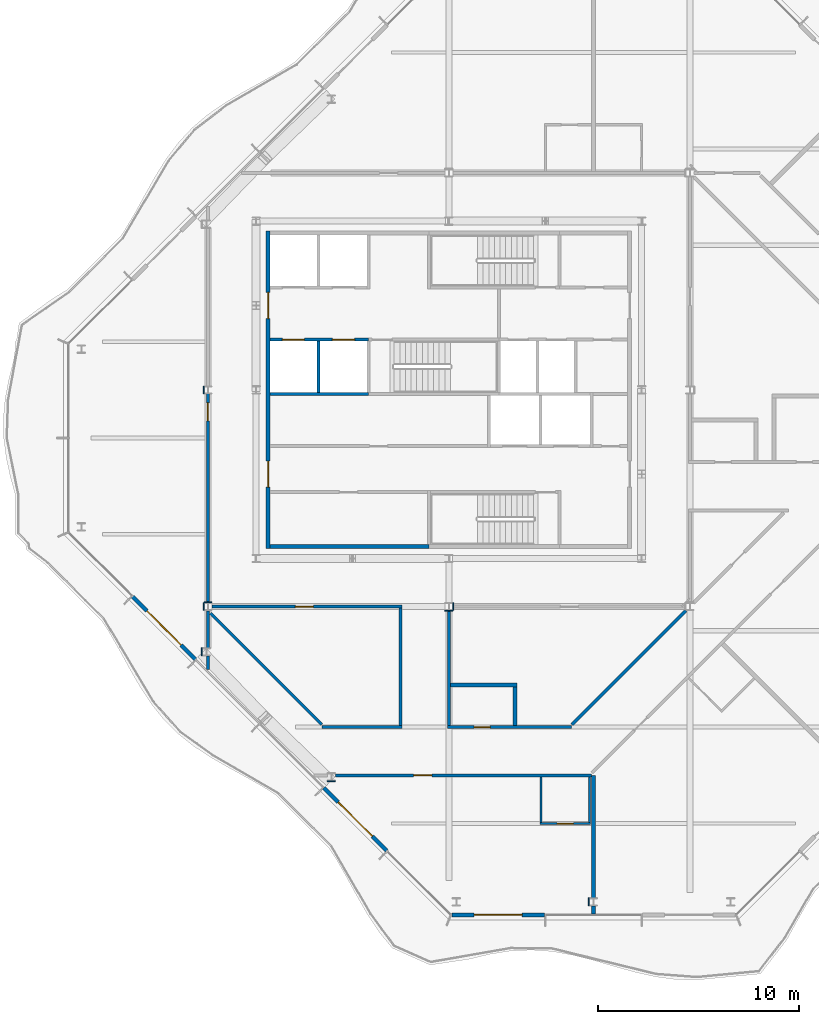
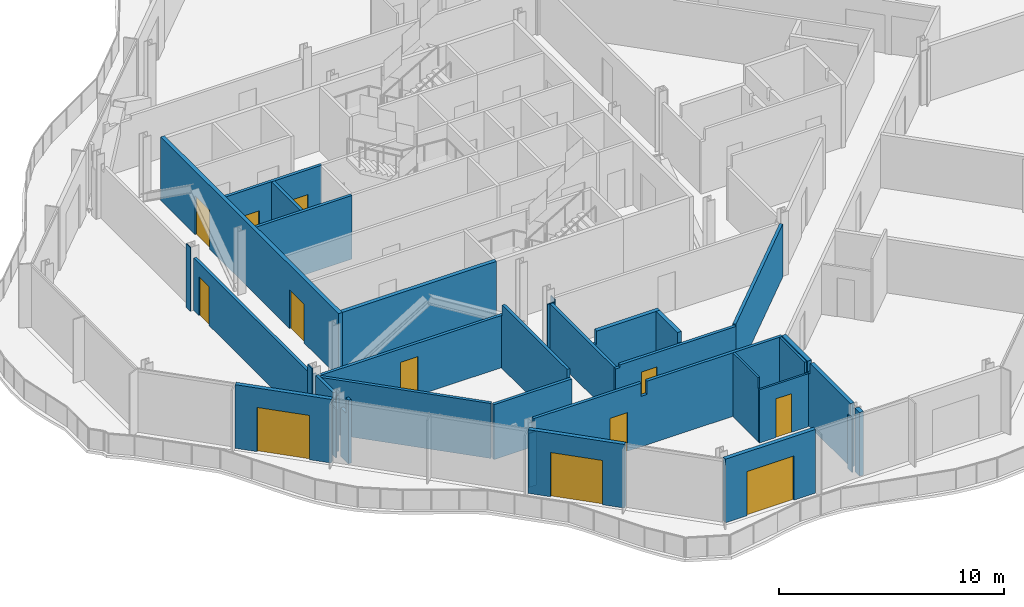
# One storey, part 7 of 16: 34 walls, 12 doors, 12 openings.
"""IFC4 building model written with IfcOpenShell, lengths in metres."""

from ifc_helpers import new_model, si_unit, direction, frame, frame_2d, origin, place, context, subcontext, project, spatial, polyline, rectangle, outline, extrude, material, layer, layer_set, type_object, element, fill, save


model = new_model("IFC4")

# Units and contexts
model_context = context("Model", 3, precision=1e-05, world=origin(), true_north=direction((0.0, 1.0)))
body_context = subcontext(model_context, "Body", "Model", "MODEL_VIEW")
ifc_project = project(units=[si_unit("LENGTHUNIT", "METRE"), si_unit("AREAUNIT", "SQUARE_METRE"), si_unit("VOLUMEUNIT", "CUBIC_METRE"), si_unit("PLANEANGLEUNIT", "RADIAN"), si_unit("MASSUNIT", "GRAM", prefix="KILO")], contexts=[model_context])

# Site, building, storey
site_placement = place(None, origin())
site = spatial("IfcSite", under=ifc_project, at=site_placement, CompositionType="ELEMENT")
building_placement = place(site_placement, origin())
building = spatial("IfcBuilding", under=site, at=building_placement, Name="Cairn Pilgrim Tower", CompositionType="ELEMENT")
storey_placement = place(building_placement, frame((0.0, 0.0, 267.0)))
storey = spatial("IfcBuildingStorey", under=building, at=storey_placement, Name="L68", CompositionType="ELEMENT", Elevation=267.0)

# Wall, opening, door
ifc_material_1 = material(Name="Bronze anodised aluminium insulated sandwich panel with mineral wool fill", Category="aluminium")
ifc_layer_1 = layer(ifc_material_1, 0.199951171875)
ifc_layer_set_1 = layer_set([ifc_layer_1], Name="BRONZE INFILL FRAME WALL 200")
wall_type_1 = type_object("IfcWallType", Name="BRONZE INFILL FRAME WALL 200", PredefinedType="NOTDEFINED", material=ifc_layer_set_1)
wall_1_placement = place(storey_placement, frame((7.343505859375, -23.75, 0.0), z_axis=(0.0, 0.0, 1.0), x_axis=(1.0, 0.0, 0.0)))
wall_1 = element("IfcWall", 1, at=wall_1_placement, inside=storey, type_object=wall_type_1, Name="Bronze infill frame wall IW-S1", PredefinedType="NOTDEFINED", context=body_context, shape_type="SweptSolid", body=[
    extrude(rectangle(XDim=4.62646484375, YDim=0.199951171875, at=frame_2d((2.313232421875, 0.0))), origin(), (0.0, 0.0, 1.0), 3.449951171875),
])
opening_1_placement = place(wall_1_placement, frame((1.1083984375, 0.0, 0.0)))
opening_1 = element("IfcOpeningElement", 2, at=opening_1_placement, cuts=wall_1, Name="Opening 6809B2", PredefinedType="OPENING", context=body_context, shape_type="SweptSolid", body=[
    extrude(rectangle(XDim=2.39990234375, YDim=2.39990234375, at=frame_2d((1.199951171875, 1.199951171875))), frame((0.0, 0.10986328125, 0.0), z_axis=(0.0, -1.0, 0.0), x_axis=(1.0, 0.0, 0.0)), (0.0, 0.0, 1.0), 0.219970703125),
])
ifc_material_2 = material(Name="Bronze anodised aluminium frame with tinted low-E glass", Category="aluminium")
door_type_1 = type_object("IfcDoorType", Name="BALCONY SLIDING DOOR 2400x2400", OperationType="DOUBLE_DOOR_SLIDING", PredefinedType="DOOR", material=ifc_material_2)
door_1_placement = place(opening_1_placement, origin())
door_1 = element("IfcDoor", 3, at=door_1_placement, inside=storey, type_object=door_type_1, Name="Balcony sliding door 6809B2", OperationType="SINGLE_SWING_LEFT", OverallHeight=2.39990234375, OverallWidth=2.39990234375, PredefinedType="DOOR", context=body_context, shape_type="SweptSolid", body=[
    extrude(rectangle(XDim=2.39990234375, YDim=2.39990234375, at=frame_2d((1.199951171875, 1.199951171875))), frame((0.0, 0.02490234375, 0.0), z_axis=(0.0, -1.0, 0.0), x_axis=(1.0, 0.0, 0.0)), (0.0, 0.0, 1.0), 0.050048828125),
])
fill(opening_1, door_1)

wall_2_placement = place(storey_placement, frame((-8.55322265625, -7.893310546875, 0.0), z_axis=(0.0, 0.0, 1.0), x_axis=(0.707134329907, -0.707079231393, 0.0)))
wall_2 = element("IfcWall", 4, at=wall_2_placement, inside=storey, type_object=wall_type_1, Name="Bronze infill frame wall IW-SW2", PredefinedType="NOTDEFINED", context=body_context, shape_type="SweptSolid", body=[
    extrude(rectangle(XDim=4.430908203125, YDim=0.199951171875, at=frame_2d((2.21533203125, 0.0))), origin(), (0.0, 0.0, 1.0), 3.449951171875),
])
opening_2_placement = place(wall_2_placement, frame((1.015380859375, 0.0, 0.0)))
opening_2 = element("IfcOpeningElement", 5, at=opening_2_placement, cuts=wall_2, Name="Opening 6808B2", PredefinedType="OPENING", context=body_context, shape_type="SweptSolid", body=[
    extrude(rectangle(XDim=2.39990234375, YDim=2.39990234375, at=frame_2d((1.199951171875, 1.199951171875))), frame((0.0, 0.10986328125, 0.0), z_axis=(0.0, -1.0, 0.0), x_axis=(1.0, 0.0, 0.0)), (0.0, 0.0, 1.0), 0.219970703125),
])
door_2_placement = place(opening_2_placement, origin())
door_2 = element("IfcDoor", 6, at=door_2_placement, inside=storey, type_object=door_type_1, Name="Balcony sliding door 6808B2", OperationType="SINGLE_SWING_LEFT", OverallHeight=2.39990234375, OverallWidth=2.39990234375, PredefinedType="DOOR", context=body_context, shape_type="SweptSolid", body=[
    extrude(rectangle(XDim=2.39990234375, YDim=2.39990234375, at=frame_2d((1.199951171875, 1.199951171875))), frame((0.0, 0.02490234375, 0.0), z_axis=(0.0, -1.0, 0.0), x_axis=(1.0, 0.0, 0.0)), (0.0, 0.0, 1.0), 0.050048828125),
])
fill(opening_2, door_2)

wall_3_placement = place(storey_placement, frame((0.9736328125, -17.419921875, 0.0), z_axis=(0.0, 0.0, 1.0), x_axis=(0.707079231393, -0.707134329907, 0.0)))
wall_3 = element("IfcWall", 7, at=wall_3_placement, inside=storey, type_object=wall_type_1, Name="Bronze infill frame wall IW-SW5", PredefinedType="NOTDEFINED", context=body_context, shape_type="SweptSolid", body=[
    extrude(rectangle(XDim=4.430908203125, YDim=0.199951171875, at=frame_2d((2.21533203125, 0.0))), origin(), (0.0, 0.0, 1.0), 3.449951171875),
])
opening_3_placement = place(wall_3_placement, frame((1.01513671875, 0.0, 0.0)))
opening_3 = element("IfcOpeningElement", 8, at=opening_3_placement, cuts=wall_3, Name="Opening 6809B", PredefinedType="OPENING", context=body_context, shape_type="SweptSolid", body=[
    extrude(rectangle(XDim=2.39990234375, YDim=2.39990234375, at=frame_2d((1.199951171875, 1.199951171875))), frame((0.0, 0.10986328125, 0.0), z_axis=(0.0, -1.0, 0.0), x_axis=(1.0, 0.0, 0.0)), (0.0, 0.0, 1.0), 0.219970703125),
])
door_3_placement = place(opening_3_placement, origin())
door_3 = element("IfcDoor", 9, at=door_3_placement, inside=storey, type_object=door_type_1, Name="Balcony sliding door 6809B", OperationType="SINGLE_SWING_LEFT", OverallHeight=2.39990234375, OverallWidth=2.39990234375, PredefinedType="DOOR", context=body_context, shape_type="SweptSolid", body=[
    extrude(rectangle(XDim=2.39990234375, YDim=2.39990234375, at=frame_2d((1.199951171875, 1.199951171875))), frame((0.0, 0.02490234375, 0.0), z_axis=(0.0, -1.0, 0.0), x_axis=(1.0, 0.0, 0.0)), (0.0, 0.0, 1.0), 0.050048828125),
])
fill(opening_3, door_3)

# Wall
ifc_material_3 = material(Name="Concrete C32/40", Category="concrete")
ifc_layer_2 = layer(ifc_material_3, 0.199951171875)
ifc_layer_set_2 = layer_set([ifc_layer_2], Name="CORE OUTER WALL 200 EI 120")
wall_type_2 = type_object("IfcWallType", Name="CORE OUTER WALL 200 EI 120", PredefinedType="SOLIDWALL", material=ifc_layer_set_2)
wall_4_placement = place(storey_placement, frame((-1.699951171875, -5.39990234375, 0.0), z_axis=(0.0, 0.0, 1.0), x_axis=(1.0, 0.0, 0.0)))
element("IfcWall", 10, at=wall_4_placement, inside=storey, type_object=wall_type_2, Name="CW:L68:H01-1", PredefinedType="SOLIDWALL", context=body_context, shape_type="SweptSolid", body=[
    extrude(rectangle(XDim=7.89990234375, YDim=0.199951171875, at=frame_2d((3.949951171875, 0.0))), origin(), (0.0, 0.0, 1.0), 3.449951171875),
])

# Wall, openings, doors
wall_5_placement = place(storey_placement, frame((-1.800048828125, -5.5, 0.0), z_axis=(0.0, 0.0, 1.0), x_axis=(0.0, 1.0, 0.0)))
wall_5 = element("IfcWall", 11, at=wall_5_placement, inside=storey, type_object=wall_type_2, Name="CW:L68:V13", PredefinedType="SOLIDWALL", context=body_context, shape_type="SweptSolid", body=[
    extrude(rectangle(XDim=15.800048828125, YDim=0.199951171875, at=frame_2d((7.89990234375, 0.0))), origin(), (0.0, 0.0, 1.0), 3.449951171875),
])
opening_4_placement = place(wall_5_placement, frame((3.050048828125, 0.0, 0.0)))
opening_4 = element("IfcOpeningElement", 12, at=opening_4_placement, cuts=wall_5, Name="Opening CD-W1", PredefinedType="OPENING", context=body_context, shape_type="SweptSolid", body=[
    extrude(rectangle(XDim=1.300048828125, YDim=2.10009765625, at=frame_2d((0.64990234375, 1.050048828125))), frame((0.0, 0.10986328125, 0.0), z_axis=(0.0, -1.0, 0.0), x_axis=(1.0, 0.0, 0.0)), (0.0, 0.0, 1.0), 0.219970703125),
])
opening_5_placement = place(wall_5_placement, frame((11.449951171875, 0.0, 0.0)))
opening_5 = element("IfcOpeningElement", 13, at=opening_5_placement, cuts=wall_5, Name="Opening CD-W2", PredefinedType="OPENING", context=body_context, shape_type="SweptSolid", body=[
    extrude(rectangle(XDim=1.300048828125, YDim=2.10009765625, at=frame_2d((0.64990234375, 1.050048828125))), frame((0.0, 0.10986328125, 0.0), z_axis=(0.0, -1.0, 0.0), x_axis=(1.0, 0.0, 0.0)), (0.0, 0.0, 1.0), 0.219970703125),
])
ifc_material_4 = material(Name="Painted steel", Category="steel")
door_type_2 = type_object("IfcDoorType", Name="CORE LOBBY DOOR 1300x2100", OperationType="DOUBLE_DOOR_SINGLE_SWING", PredefinedType="DOOR", material=ifc_material_4)
door_4_placement = place(opening_4_placement, origin())
door_4 = element("IfcDoor", 14, at=door_4_placement, inside=storey, type_object=door_type_2, Name="CD-W1", OperationType="DOUBLE_DOOR_SINGLE_SWING", OverallHeight=2.10009765625, OverallWidth=1.300048828125, PredefinedType="DOOR", context=body_context, shape_type="SweptSolid", body=[
    extrude(rectangle(XDim=1.300048828125, YDim=2.10009765625, at=frame_2d((0.64990234375, 1.050048828125))), frame((0.0, 0.02490234375, 0.0), z_axis=(0.0, -1.0, 0.0), x_axis=(1.0, 0.0, 0.0)), (0.0, 0.0, 1.0), 0.050048828125),
])
fill(opening_4, door_4)
door_5_placement = place(opening_5_placement, origin())
door_5 = element("IfcDoor", 15, at=door_5_placement, inside=storey, type_object=door_type_2, Name="CD-W2", OperationType="DOUBLE_DOOR_SINGLE_SWING", OverallHeight=2.10009765625, OverallWidth=1.300048828125, PredefinedType="DOOR", context=body_context, shape_type="SweptSolid", body=[
    extrude(rectangle(XDim=1.300048828125, YDim=2.10009765625, at=frame_2d((0.64990234375, 1.050048828125))), frame((0.0, 0.02490234375, 0.0), z_axis=(0.0, -1.0, 0.0), x_axis=(1.0, 0.0, 0.0)), (0.0, 0.0, 1.0), 0.050048828125),
])
fill(opening_5, door_5)

# Wall
ifc_layer_3 = layer(ifc_material_3, 0.14990234375)
ifc_layer_set_3 = layer_set([ifc_layer_3], Name="CORE SHAFT WALL 150 EI 120")
wall_type_3 = type_object("IfcWallType", Name="CORE SHAFT WALL 150 EI 120", PredefinedType="SOLIDWALL", material=ifc_layer_set_3)
wall_6_placement = place(storey_placement, frame((-1.699951171875, 2.199951171875, 0.0), z_axis=(0.0, 0.0, 1.0), x_axis=(1.0, 0.0, 0.0)))
element("IfcWall", 16, at=wall_6_placement, inside=storey, type_object=wall_type_3, Name="CW:L68:H07-1", PredefinedType="SOLIDWALL", context=body_context, shape_type="SweptSolid", body=[
    extrude(rectangle(XDim=4.89990234375, YDim=0.14990234375, at=frame_2d((2.449951171875, 0.0))), origin(), (0.0, 0.0, 1.0), 3.449951171875),
])

# Wall, openings, doors
wall_7_placement = place(storey_placement, frame((-1.699951171875, 4.89990234375, 0.0), z_axis=(0.0, 0.0, 1.0), x_axis=(1.0, 0.0, 0.0)))
wall_7 = element("IfcWall", 17, at=wall_7_placement, inside=storey, type_object=wall_type_3, Name="CW:L68:H09-1", PredefinedType="SOLIDWALL", context=body_context, shape_type="SweptSolid", body=[
    extrude(rectangle(XDim=4.89990234375, YDim=0.14990234375, at=frame_2d((2.449951171875, 0.0))), origin(), (0.0, 0.0, 1.0), 3.449951171875),
])
opening_6_placement = place(wall_7_placement, frame((0.60009765625, 0.0, 0.0)))
opening_6 = element("IfcOpeningElement", 18, at=opening_6_placement, cuts=wall_7, Name="Opening LD-HR1", PredefinedType="OPENING", context=body_context, shape_type="SweptSolid", body=[
    extrude(rectangle(XDim=1.10009765625, YDim=2.10009765625, at=frame_2d((0.550048828125, 1.050048828125))), frame((0.0, 0.0849609375, 0.0), z_axis=(0.0, -1.0, 0.0), x_axis=(1.0, 0.0, 0.0)), (0.0, 0.0, 1.0), 0.169921875),
])
opening_7_placement = place(wall_7_placement, frame((3.10009765625, 0.0, 0.0)))
opening_7 = element("IfcOpeningElement", 19, at=opening_7_placement, cuts=wall_7, Name="Opening LD-HR2", PredefinedType="OPENING", context=body_context, shape_type="SweptSolid", body=[
    extrude(rectangle(XDim=1.10009765625, YDim=2.10009765625, at=frame_2d((0.550048828125, 1.050048828125))), frame((0.0, 0.0849609375, 0.0), z_axis=(0.0, -1.0, 0.0), x_axis=(1.0, 0.0, 0.0)), (0.0, 0.0, 1.0), 0.169921875),
])
ifc_material_5 = material(Name="Stainless steel", Category="steel")
door_type_3 = type_object("IfcDoorType", Name="LIFT LANDING DOOR 1100x2100", OperationType="DOUBLE_DOOR_SLIDING", PredefinedType="DOOR", material=ifc_material_5)
door_6_placement = place(opening_6_placement, origin())
door_6 = element("IfcDoor", 20, at=door_6_placement, inside=storey, type_object=door_type_3, Name="LANDING DOOR HR1", OperationType="DOUBLE_DOOR_SLIDING", OverallHeight=2.10009765625, OverallWidth=1.10009765625, PredefinedType="DOOR", context=body_context, shape_type="SweptSolid", body=[
    extrude(rectangle(XDim=1.10009765625, YDim=2.10009765625, at=frame_2d((0.550048828125, 1.050048828125))), frame((0.0, 0.02490234375, 0.0), z_axis=(0.0, -1.0, 0.0), x_axis=(1.0, 0.0, 0.0)), (0.0, 0.0, 1.0), 0.050048828125),
])
fill(opening_6, door_6)
door_7_placement = place(opening_7_placement, origin())
door_7 = element("IfcDoor", 21, at=door_7_placement, inside=storey, type_object=door_type_3, Name="LANDING DOOR HR2", OperationType="DOUBLE_DOOR_SLIDING", OverallHeight=2.10009765625, OverallWidth=1.10009765625, PredefinedType="DOOR", context=body_context, shape_type="SweptSolid", body=[
    extrude(rectangle(XDim=1.10009765625, YDim=2.10009765625, at=frame_2d((0.550048828125, 1.050048828125))), frame((0.0, 0.02490234375, 0.0), z_axis=(0.0, -1.0, 0.0), x_axis=(1.0, 0.0, 0.0)), (0.0, 0.0, 1.0), 0.050048828125),
])
fill(opening_7, door_7)

# Wall
wall_8_placement = place(storey_placement, frame((0.699951171875, 2.27490234375, 0.0), z_axis=(0.0, 0.0, 1.0), x_axis=(0.0, 1.0, 0.0)))
element("IfcWall", 22, at=wall_8_placement, inside=storey, type_object=wall_type_3, Name="CW:L68:V14", PredefinedType="SOLIDWALL", context=body_context, shape_type="SweptSolid", body=[
    extrude(rectangle(XDim=2.550048828125, YDim=0.14990234375, at=frame_2d((1.27490234375, 0.0))), origin(), (0.0, 0.0, 1.0), 3.449951171875),
])

# Wall, opening, door
ifc_material_6 = material(Name="Gypsum partition")
ifc_layer_4 = layer(ifc_material_6, 0.10009765625)
ifc_layer_set_4 = layer_set([ifc_layer_4], Name="PARTITION 100 DRYWALL")
wall_type_4 = type_object("IfcWallType", Name="PARTITION 100 DRYWALL", PredefinedType="PARTITIONING", material=ifc_layer_set_4)
wall_9_placement = place(storey_placement, frame((11.743896484375, -19.199951171875, 0.0), z_axis=(0.0, 0.0, 1.0), x_axis=(1.0, 0.0, 0.0)))
wall_9 = element("IfcWall", 23, at=wall_9_placement, inside=storey, type_object=wall_type_4, Name="PARTITION W003", PredefinedType="PARTITIONING", context=body_context, shape_type="SweptSolid", body=[
    extrude(rectangle(XDim=2.5, YDim=0.10009765625, at=frame_2d((1.25, 0.0))), origin(), (0.0, 0.0, 1.0), 2.8798828125),
])
opening_8_placement = place(wall_9_placement, frame((0.85009765625, 0.0, 0.0)))
opening_8 = element("IfcOpeningElement", 24, at=opening_8_placement, cuts=wall_9, Name="Opening 6809A", PredefinedType="OPENING", context=body_context, shape_type="SweptSolid", body=[
    extrude(rectangle(XDim=0.800048828125, YDim=2.10009765625, at=frame_2d((0.39990234375, 1.050048828125))), frame((0.0, 0.06005859375, 0.0), z_axis=(0.0, -1.0, 0.0), x_axis=(1.0, 0.0, 0.0)), (0.0, 0.0, 1.0), 0.1201171875),
])
ifc_material_7 = material(Name="Timber door leaf", Category="wood")
door_type_4 = type_object("IfcDoorType", Name="WC DOOR 800x2100", OperationType="NOTDEFINED", PredefinedType="DOOR", material=ifc_material_7)
door_8_placement = place(opening_8_placement, frame((0.800048828125, 0.0, 0.0), z_axis=(0.0, 0.0, 1.0), x_axis=(-1.0, 0.0, 0.0)))
door_8 = element("IfcDoor", 25, at=door_8_placement, inside=storey, type_object=door_type_4, Name="DOOR 6809A", OperationType="SINGLE_SWING_RIGHT", OverallHeight=2.10009765625, OverallWidth=0.800048828125, PredefinedType="DOOR", context=body_context, shape_type="SweptSolid", body=[
    extrude(rectangle(XDim=0.800048828125, YDim=2.10009765625, at=frame_2d((0.39990234375, 1.050048828125))), frame((0.0, 0.02490234375, 0.0), z_axis=(0.0, -1.0, 0.0), x_axis=(1.0, 0.0, 0.0)), (0.0, 0.0, 1.0), 0.050048828125),
])
fill(opening_8, door_8)

# Walls
for number, where, z_axis, x_axis, name in (
    (26, (11.7939453125, -19.14990234375, 0.0), (0.0, 0.0, 1.0), (0.0, 1.0, 0.0), "PARTITION W004"),
    (27, (14.194091796875, -19.14990234375, 0.0), (0.0, 0.0, 1.0), (0.0, 1.0, 0.0), "PARTITION W005"),
):
    element("IfcWall", number, at=place(storey_placement, frame(where, z_axis=z_axis, x_axis=x_axis)), inside=storey, type_object=wall_type_4, Name=name, PredefinedType="PARTITIONING", context=body_context, shape_type="SweptSolid", body=[
        extrude(outline(polyline([(0.0, 0.0), (2.27490234375, 0.0), (2.27490234375, 3.449951171875), (0.054931640625, 3.449951171875), (0.052978515625, 2.8798828125), (0.0, 2.8798828125), (0.0, 0.0)])), frame((0.0, 0.050048828125, 0.0), z_axis=(0.0, -1.0, 0.0), x_axis=(1.0, 0.0, 0.0)), (0.0, 0.0, 1.0), 0.10009765625),
    ])

# Wall, opening, door
ifc_layer_5 = layer(ifc_material_6, 0.14990234375)
ifc_layer_set_5 = layer_set([ifc_layer_5], Name="PARTITION 150 DRYWALL EI 60")
wall_type_5 = type_object("IfcWallType", Name="PARTITION 150 DRYWALL EI 60", PredefinedType="PARTITIONING", material=ifc_layer_set_5)
wall_10_placement = place(storey_placement, frame((1.548095703125, -16.800048828125, 0.0), z_axis=(0.0, 0.0, 1.0), x_axis=(1.0, 0.0, 0.0)))
wall_10 = element("IfcWall", 28, at=wall_10_placement, inside=storey, type_object=wall_type_5, Name="PARTITION W008", PredefinedType="PARTITIONING", context=body_context, shape_type="SweptSolid", body=[
    extrude(outline(polyline([(0.0, 0.0), (12.751953125, 0.0), (12.752197265625, 3.449951171875), (5.802001953125, 3.449951171875), (5.800048828125, 2.72998046875), (5.501953125, 2.72998046875), (5.5, 3.449951171875), (0.0, 3.449951171875), (0.0, 0.0)])), frame((0.0, 0.074951171875, 0.0), z_axis=(0.0, -1.0, 0.0), x_axis=(1.0, 0.0, 0.0)), (0.0, 0.0, 1.0), 0.14990234375),
])
opening_9_placement = place(wall_10_placement, frame((3.89892578125, 0.0, 0.0)))
opening_9 = element("IfcOpeningElement", 29, at=opening_9_placement, cuts=wall_10, Name="Opening 6809", PredefinedType="OPENING", context=body_context, shape_type="SweptSolid", body=[
    extrude(rectangle(XDim=0.89990234375, YDim=2.10009765625, at=frame_2d((0.449951171875, 1.050048828125))), frame((0.0, 0.0849609375, 0.0), z_axis=(0.0, -1.0, 0.0), x_axis=(1.0, 0.0, 0.0)), (0.0, 0.0, 1.0), 0.169921875),
])
door_type_5 = type_object("IfcDoorType", Name="ROOM DOOR 900x2100 FD30S", OperationType="NOTDEFINED", PredefinedType="DOOR", material=ifc_material_7)
door_9_placement = place(opening_9_placement, frame((0.89990234375, 0.0, 0.0), z_axis=(0.0, 0.0, 1.0), x_axis=(-1.0, 0.0, 0.0)))
door_9 = element("IfcDoor", 30, at=door_9_placement, inside=storey, type_object=door_type_5, Name="DOOR 6809", OperationType="SINGLE_SWING_RIGHT", OverallHeight=2.10009765625, OverallWidth=0.89990234375, PredefinedType="DOOR", context=body_context, shape_type="SweptSolid", body=[
    extrude(rectangle(XDim=0.89990234375, YDim=2.10009765625, at=frame_2d((0.449951171875, 1.050048828125))), frame((0.0, 0.02490234375, 0.0), z_axis=(0.0, -1.0, 0.0), x_axis=(1.0, 0.0, 0.0)), (0.0, 0.0, 1.0), 0.050048828125),
])
fill(opening_9, door_9)

# Wall
wall_11_placement = place(storey_placement, frame((0.887939453125, -14.39990234375, 0.0), z_axis=(0.0, 0.0, 1.0), x_axis=(1.0, 0.0, 0.0)))
element("IfcWall", 31, at=wall_11_placement, inside=storey, type_object=wall_type_5, Name="PARTITION W011", PredefinedType="PARTITIONING", context=body_context, shape_type="SweptSolid", body=[
    extrude(rectangle(XDim=3.987060546875, YDim=0.14990234375, at=frame_2d((1.99365234375, 0.0))), origin(), (0.0, 0.0, 1.0), 2.97998046875),
])

# Wall, opening, door
wall_12_placement = place(storey_placement, frame((7.125, -14.39990234375, 0.0), z_axis=(0.0, 0.0, 1.0), x_axis=(1.0, 0.0, 0.0)))
wall_12 = element("IfcWall", 32, at=wall_12_placement, inside=storey, type_object=wall_type_5, Name="PARTITION W012", PredefinedType="PARTITIONING", context=body_context, shape_type="SweptSolid", body=[
    extrude(outline(polyline([(0.0, 0.0), (6.18115234375, 0.0), (6.18115234375, 2.8798828125), (0.22509765625, 2.8798828125), (0.222900390625, 2.72998046875), (0.0, 2.72998046875), (0.0, 0.0)])), frame((0.0, 0.074951171875, 0.0), z_axis=(0.0, -1.0, 0.0), x_axis=(1.0, 0.0, 0.0)), (0.0, 0.0, 1.0), 0.14990234375),
])
opening_10_placement = place(wall_12_placement, frame((1.324951171875, 0.0, 0.0)))
opening_10 = element("IfcOpeningElement", 33, at=opening_10_placement, cuts=wall_12, Name="Opening 6813", PredefinedType="OPENING", context=body_context, shape_type="SweptSolid", body=[
    extrude(rectangle(XDim=0.800048828125, YDim=2.10009765625, at=frame_2d((0.39990234375, 1.050048828125))), frame((0.0, 0.0849609375, 0.0), z_axis=(0.0, -1.0, 0.0), x_axis=(1.0, 0.0, 0.0)), (0.0, 0.0, 1.0), 0.169921875),
])
door_type_6 = type_object("IfcDoorType", Name="WC DOOR 800x2100 FD30S", OperationType="NOTDEFINED", PredefinedType="DOOR", material=ifc_material_7)
door_10_placement = place(opening_10_placement, origin())
door_10 = element("IfcDoor", 34, at=door_10_placement, inside=storey, type_object=door_type_6, Name="DOOR 6813", OperationType="SINGLE_SWING_LEFT", OverallHeight=2.10009765625, OverallWidth=0.800048828125, PredefinedType="DOOR", context=body_context, shape_type="SweptSolid", body=[
    extrude(rectangle(XDim=0.800048828125, YDim=2.10009765625, at=frame_2d((0.39990234375, 1.050048828125))), frame((0.0, 0.02490234375, 0.0), z_axis=(0.0, -1.0, 0.0), x_axis=(1.0, 0.0, 0.0)), (0.0, 0.0, 1.0), 0.050048828125),
])
fill(opening_10, door_10)

# Walls
wall_13_placement = place(storey_placement, frame((0.865966796875, -14.27197265625, 0.0), z_axis=(0.0, 0.0, 1.0), x_axis=(-0.707106781187, 0.707106781187, 0.0)))
element("IfcWall", 35, at=wall_13_placement, inside=storey, type_object=wall_type_5, Name="PARTITION W013", PredefinedType="PARTITIONING", context=body_context, shape_type="SweptSolid", body=[
    extrude(rectangle(XDim=7.83203125, YDim=0.14990234375, at=frame_2d((3.916015625, 0.0))), origin(), (0.0, 0.0, 1.0), 2.97998046875),
])
wall_14_placement = place(storey_placement, frame((4.800048828125, -14.324951171875, 0.0), z_axis=(0.0, 0.0, 1.0), x_axis=(0.0, 1.0, 0.0)))
element("IfcWall", 36, at=wall_14_placement, inside=storey, type_object=wall_type_5, Name="PARTITION W014", PredefinedType="PARTITIONING", context=body_context, shape_type="SweptSolid", body=[
    extrude(outline(polyline([(0.0, 0.0), (5.849853515625, 0.0), (5.85009765625, 2.830078125), (5.77490234375, 2.830078125), (5.77294921875, 3.449951171875), (0.02001953125, 3.449951171875), (0.01806640625, 2.97998046875), (0.0, 2.97998046875), (0.0, 0.0)])), frame((0.0, 0.074951171875, 0.0), z_axis=(0.0, -1.0, 0.0), x_axis=(1.0, 0.0, 0.0)), (0.0, 0.0, 1.0), 0.14990234375),
])
wall_15_placement = place(storey_placement, frame((7.199951171875, -14.324951171875, 0.0), z_axis=(0.0, 0.0, 1.0), x_axis=(0.0, 1.0, 0.0)))
element("IfcWall", 37, at=wall_15_placement, inside=storey, type_object=wall_type_5, Name="PARTITION W015", PredefinedType="PARTITIONING", context=body_context, shape_type="SweptSolid", body=[
    extrude(rectangle(XDim=5.737548828125, YDim=0.14990234375, at=frame_2d((2.86865234375, 0.0))), origin(), (0.0, 0.0, 1.0), 2.72998046875),
])
wall_16_placement = place(storey_placement, frame((13.327880859375, -14.27197265625, 0.0), z_axis=(0.0, 0.0, 1.0), x_axis=(0.707121978143, 0.707091583904, 0.0)))
element("IfcWall", 38, at=wall_16_placement, inside=storey, type_object=wall_type_5, Name="PARTITION W017", PredefinedType="PARTITIONING", context=body_context, shape_type="SweptSolid", body=[
    extrude(rectangle(XDim=8.032470703125, YDim=0.14990234375, at=frame_2d((4.01611328125, 0.0))), origin(), (0.0, 0.0, 1.0), 2.8798828125),
])
wall_17_placement = place(storey_placement, frame((-4.800048828125, -11.526123046875, 0.0), z_axis=(0.0, 0.0, 1.0), x_axis=(0.0, 1.0, 0.0)))
element("IfcWall", 39, at=wall_17_placement, inside=storey, type_object=wall_type_5, Name="PARTITION W022", PredefinedType="PARTITIONING", context=body_context, shape_type="SweptSolid", body=[
    extrude(outline(polyline([(0.0, 0.0), (0.67822265625, 0.0), (0.677978515625, 2.6298828125), (0.22900390625, 2.6298828125), (0.226806640625, 3.449951171875), (0.0, 3.449951171875), (0.0, 0.0)])), frame((0.0, 0.074951171875, 0.0), z_axis=(0.0, -1.0, 0.0), x_axis=(1.0, 0.0, 0.0)), (0.0, 0.0, 1.0), 0.14990234375),
])
wall_18_placement = place(storey_placement, frame((-4.800048828125, -10.455078125, 0.0), z_axis=(0.0, 0.0, 1.0), x_axis=(0.0, 1.0, 0.0)))
element("IfcWall", 40, at=wall_18_placement, inside=storey, type_object=wall_type_5, Name="PARTITION W023", PredefinedType="PARTITIONING", context=body_context, shape_type="SweptSolid", body=[
    extrude(outline(polyline([(0.0, 0.0), (1.84912109375, 0.0), (1.84912109375, 3.030029296875), (0.2978515625, 3.030029296875), (0.2958984375, 2.6298828125), (0.05810546875, 2.6298828125), (0.05615234375, 3.030029296875), (0.0, 3.030029296875), (0.0, 0.0)])), frame((0.0, 0.074951171875, 0.0), z_axis=(0.0, -1.0, 0.0), x_axis=(1.0, 0.0, 0.0)), (0.0, 0.0, 1.0), 0.14990234375),
])

# Wall, opening, door
wall_19_placement = place(storey_placement, frame((-4.60302734375, -8.39990234375, 0.0), z_axis=(0.0, 0.0, 1.0), x_axis=(1.0, 0.0, 0.0)))
wall_19 = element("IfcWall", 41, at=wall_19_placement, inside=storey, type_object=wall_type_5, Name="PARTITION W025", PredefinedType="PARTITIONING", context=body_context, shape_type="SweptSolid", body=[
    extrude(rectangle(XDim=9.47802734375, YDim=0.14990234375, at=frame_2d((4.739013671875, 0.0))), origin(), (0.0, 0.0, 1.0), 2.830078125),
])
opening_11_placement = place(wall_19_placement, frame((4.153076171875, 0.0, 0.0)))
opening_11 = element("IfcOpeningElement", 42, at=opening_11_placement, cuts=wall_19, Name="Opening 6816", PredefinedType="OPENING", context=body_context, shape_type="SweptSolid", body=[
    extrude(rectangle(XDim=0.89990234375, YDim=2.10009765625, at=frame_2d((0.449951171875, 1.050048828125))), frame((0.0, 0.0849609375, 0.0), z_axis=(0.0, -1.0, 0.0), x_axis=(1.0, 0.0, 0.0)), (0.0, 0.0, 1.0), 0.169921875),
])
door_type_7 = type_object("IfcDoorType", Name="SERVICE DOOR 900x2100 FD30S", OperationType="NOTDEFINED", PredefinedType="DOOR", material=ifc_material_7)
door_11_placement = place(opening_11_placement, frame((0.89990234375, 0.0, 0.0), z_axis=(0.0, 0.0, 1.0), x_axis=(-1.0, 0.0, 0.0)))
door_11 = element("IfcDoor", 43, at=door_11_placement, inside=storey, type_object=door_type_7, Name="DOOR 6816", OperationType="SINGLE_SWING_LEFT", OverallHeight=2.10009765625, OverallWidth=0.89990234375, PredefinedType="DOOR", context=body_context, shape_type="SweptSolid", body=[
    extrude(rectangle(XDim=0.89990234375, YDim=2.10009765625, at=frame_2d((0.449951171875, 1.050048828125))), frame((0.0, 0.02490234375, 0.0), z_axis=(0.0, -1.0, 0.0), x_axis=(1.0, 0.0, 0.0)), (0.0, 0.0, 1.0), 0.050048828125),
])
fill(opening_11, door_11)

wall_20_placement = place(storey_placement, frame((-4.800048828125, -8.21240234375, 0.0), z_axis=(0.0, 0.0, 1.0), x_axis=(0.0, 1.0, 0.0)))
wall_20 = element("IfcWall", 44, at=wall_20_placement, inside=storey, type_object=wall_type_5, Name="PARTITION W027", PredefinedType="PARTITIONING", context=body_context, shape_type="SweptSolid", body=[
    extrude(rectangle(XDim=10.4248046875, YDim=0.14990234375, at=frame_2d((5.21240234375, 0.0))), origin(), (0.0, 0.0, 1.0), 2.830078125),
])
opening_12_placement = place(wall_20_placement, frame((9.0625, 0.0, 0.0)))
opening_12 = element("IfcOpeningElement", 45, at=opening_12_placement, cuts=wall_20, Name="Opening 6808", PredefinedType="OPENING", context=body_context, shape_type="SweptSolid", body=[
    extrude(rectangle(XDim=0.89990234375, YDim=2.10009765625, at=frame_2d((0.449951171875, 1.050048828125))), frame((0.0, 0.0849609375, 0.0), z_axis=(0.0, -1.0, 0.0), x_axis=(1.0, 0.0, 0.0)), (0.0, 0.0, 1.0), 0.169921875),
])
door_12_placement = place(opening_12_placement, origin())
door_12 = element("IfcDoor", 46, at=door_12_placement, inside=storey, type_object=door_type_5, Name="DOOR 6808", OperationType="SINGLE_SWING_RIGHT", OverallHeight=2.10009765625, OverallWidth=0.89990234375, PredefinedType="DOOR", context=body_context, shape_type="SweptSolid", body=[
    extrude(rectangle(XDim=0.89990234375, YDim=2.10009765625, at=frame_2d((0.449951171875, 1.050048828125))), frame((0.0, 0.02490234375, 0.0), z_axis=(0.0, -1.0, 0.0), x_axis=(1.0, 0.0, 0.0)), (0.0, 0.0, 1.0), 0.050048828125),
])
fill(opening_12, door_12)

# Walls
ifc_layer_6 = layer(ifc_material_6, 0.050048828125)
ifc_layer_set_6 = layer_set([ifc_layer_6], Name="PARTITION 50 DRYWALL EI 60")
wall_type_6 = type_object("IfcWallType", Name="PARTITION 50 DRYWALL EI 60", PredefinedType="PARTITIONING", material=ifc_layer_set_6)
wall_21_placement = place(storey_placement, frame((14.175537109375, -23.29638671875, 0.0), z_axis=(0.0, 0.0, 1.0), x_axis=(0.0, 1.0, 0.0)))
element("IfcWall", 47, at=wall_21_placement, inside=storey, type_object=wall_type_6, Name="COLUMN CASING WC01", PredefinedType="PARTITIONING", context=body_context, shape_type="SweptSolid", body=[
    extrude(rectangle(XDim=0.392822265625, YDim=0.050048828125, at=frame_2d((0.1962890625, 0.0))), origin(), (0.0, 0.0, 1.0), 2.929931640625),
])
wall_22_placement = place(storey_placement, frame((1.14892578125, -17.09716796875, 0.0), z_axis=(0.0, 0.0, 1.0), x_axis=(1.0, 0.0, 0.0)))
element("IfcWall", 48, at=wall_22_placement, inside=storey, type_object=wall_type_6, Name="COLUMN CASING WC03", PredefinedType="PARTITIONING", context=body_context, shape_type="SweptSolid", body=[
    extrude(rectangle(XDim=0.399169921875, YDim=0.050048828125, at=frame_2d((0.19970703125, 0.0))), origin(), (0.0, 0.0, 1.0), 2.929931640625),
])
wall_23_placement = place(storey_placement, frame((7.422119140625, -8.58740234375, 0.0), z_axis=(0.0, 0.0, 1.0), x_axis=(0.0, 1.0, 0.0)))
element("IfcWall", 49, at=wall_23_placement, inside=storey, type_object=wall_type_6, Name="COLUMN CASING WC05", PredefinedType="PARTITIONING", context=body_context, shape_type="SweptSolid", body=[
    extrude(rectangle(XDim=0.375, YDim=0.050048828125, at=frame_2d((0.1875, 0.0))), origin(), (0.0, 0.0, 1.0), 2.830078125),
])
wall_24_placement = place(storey_placement, frame((-5.10009765625, -10.847900390625, 0.0), z_axis=(0.0, 0.0, 1.0), x_axis=(0.0, 1.0, 0.0)))
element("IfcWall", 50, at=wall_24_placement, inside=storey, type_object=wall_type_6, Name="COLUMN CASING WC08", PredefinedType="PARTITIONING", context=body_context, shape_type="SweptSolid", body=[
    extrude(rectangle(XDim=0.392822265625, YDim=0.050048828125, at=frame_2d((0.1962890625, 0.0))), origin(), (0.0, 0.0, 1.0), 2.6298828125),
])
for number, where, z_axis, x_axis, name in (
    (51, (-5.02197265625, -8.58740234375, 0.0), (0.0, 0.0, 1.0), (0.0, 1.0, 0.0), "COLUMN CASING WC09"),
    (52, (-5.02197265625, 2.21240234375, 0.0), (0.0, 0.0, 1.0), (0.0, 1.0, 0.0), "COLUMN CASING WC10"),
):
    element("IfcWall", number, at=place(storey_placement, frame(where, z_axis=z_axis, x_axis=x_axis)), inside=storey, type_object=wall_type_6, Name=name, PredefinedType="PARTITIONING", context=body_context, shape_type="SweptSolid", body=[
        extrude(rectangle(XDim=0.375, YDim=0.050048828125, at=frame_2d((0.1875, 0.0))), origin(), (0.0, 0.0, 1.0), 3.449951171875),
    ])
wall_25_placement = place(storey_placement, frame((-4.9970703125, -8.1875, 0.0), z_axis=(0.0, 0.0, 1.0), x_axis=(1.0, 0.0, 0.0)))
element("IfcWall", 53, at=wall_25_placement, inside=storey, type_object=wall_type_6, Name="COLUMN CASING WC12", PredefinedType="PARTITIONING", context=body_context, shape_type="SweptSolid", body=[
    extrude(rectangle(XDim=0.39404296875, YDim=0.050048828125, at=frame_2d((0.197021484375, 0.0))), origin(), (0.0, 0.0, 1.0), 2.830078125),
])
wall_26_placement = place(storey_placement, frame((7.0029296875, -8.612548828125, 0.0), z_axis=(0.0, 0.0, 1.0), x_axis=(1.0, 0.0, 0.0)))
element("IfcWall", 54, at=wall_26_placement, inside=storey, type_object=wall_type_6, Name="COLUMN CASING WC13", PredefinedType="PARTITIONING", context=body_context, shape_type="SweptSolid", body=[
    extrude(rectangle(XDim=0.39404296875, YDim=0.050048828125, at=frame_2d((0.197021484375, 0.0))), origin(), (0.0, 0.0, 1.0), 2.72998046875),
])
ifc_layer_7 = layer(ifc_material_6, 0.199951171875)
ifc_layer_set_7 = layer_set([ifc_layer_7], Name="SHAFT WALL 200 GYPSUM EI 60")
wall_type_7 = type_object("IfcWallType", Name="SHAFT WALL 200 GYPSUM EI 60", PredefinedType="PARTITIONING", material=ifc_layer_set_7)
wall_27_placement = place(storey_placement, frame((14.39990234375, -23.702880859375, 0.0), z_axis=(0.0, 0.0, 1.0), x_axis=(0.0, 1.0, 0.0)))
element("IfcWall", 55, at=wall_27_placement, inside=storey, type_object=wall_type_7, Name="PARTITION W001", PredefinedType="PARTITIONING", context=body_context, shape_type="SweptSolid", body=[
    extrude(rectangle(XDim=0.406494140625, YDim=0.199951171875, at=frame_2d((0.203125, 0.0))), origin(), (0.0, 0.0, 1.0), 3.449951171875),
])
wall_28_placement = place(storey_placement, frame((14.39990234375, -22.903564453125, 0.0), z_axis=(0.0, 0.0, 1.0), x_axis=(0.0, 1.0, 0.0)))
element("IfcWall", 56, at=wall_28_placement, inside=storey, type_object=wall_type_7, Name="PARTITION W002", PredefinedType="PARTITIONING", context=body_context, shape_type="SweptSolid", body=[
    extrude(outline(polyline([(0.0, 0.0), (6.103515625, 0.0), (6.103515625, 3.449951171875), (3.80859375, 3.449951171875), (3.806396484375, 2.8798828125), (3.598388671875, 2.8798828125), (3.596435546875, 3.449951171875), (0.0, 3.449951171875), (0.0, 0.0)])), frame((0.0, 0.10009765625, 0.0), z_axis=(0.0, -1.0, 0.0), x_axis=(1.0, 0.0, 0.0)), (0.0, 0.0, 1.0), 0.199951171875),
])
wall_29_placement = place(storey_placement, frame((10.5, -14.324951171875, 0.0), z_axis=(0.0, 0.0, 1.0), x_axis=(0.0, 1.0, 0.0)))
element("IfcWall", 57, at=wall_29_placement, inside=storey, type_object=wall_type_7, Name="PARTITION W016", PredefinedType="PARTITIONING", context=body_context, shape_type="SweptSolid", body=[
    extrude(outline(polyline([(0.0, 0.0), (1.925048828125, 0.0), (1.925048828125, 3.449951171875), (0.030029296875, 3.449951171875), (0.028076171875, 2.8798828125), (0.0, 2.8798828125), (0.0, 0.0)])), frame((0.0, 0.10009765625, 0.0), z_axis=(0.0, -1.0, 0.0), x_axis=(1.0, 0.0, 0.0)), (0.0, 0.0, 1.0), 0.199951171875),
])
wall_30_placement = place(storey_placement, frame((7.27490234375, -12.300048828125, 0.0), z_axis=(0.0, 0.0, 1.0), x_axis=(1.0, 0.0, 0.0)))
element("IfcWall", 58, at=wall_30_placement, inside=storey, type_object=wall_type_7, Name="PARTITION W020", PredefinedType="PARTITIONING", context=body_context, shape_type="SweptSolid", body=[
    extrude(outline(polyline([(0.0, 0.0), (3.3251953125, 0.0), (3.324951171875, 3.449951171875), (0.074951171875, 3.449951171875), (0.072998046875, 2.72998046875), (0.0, 2.72998046875), (0.0, 0.0)])), frame((0.0, 0.10009765625, 0.0), z_axis=(0.0, -1.0, 0.0), x_axis=(1.0, 0.0, 0.0)), (0.0, 0.0, 1.0), 0.199951171875),
])

save(model, "model.ifc")
